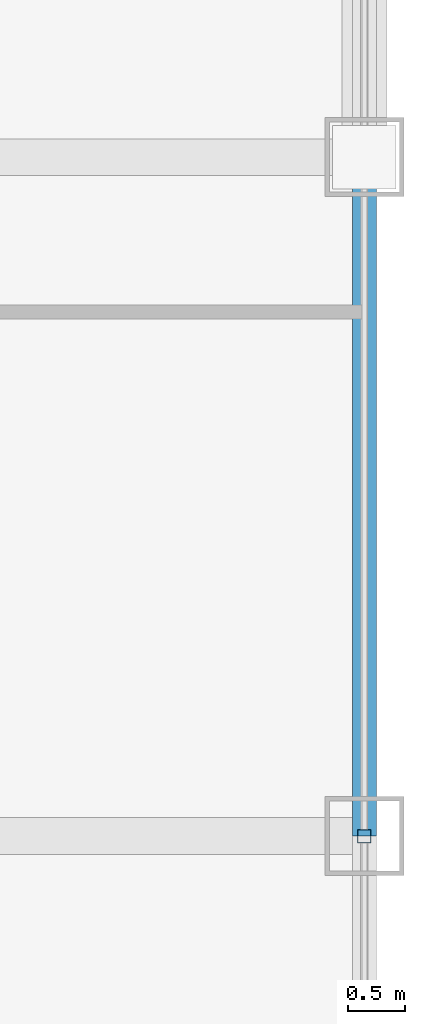
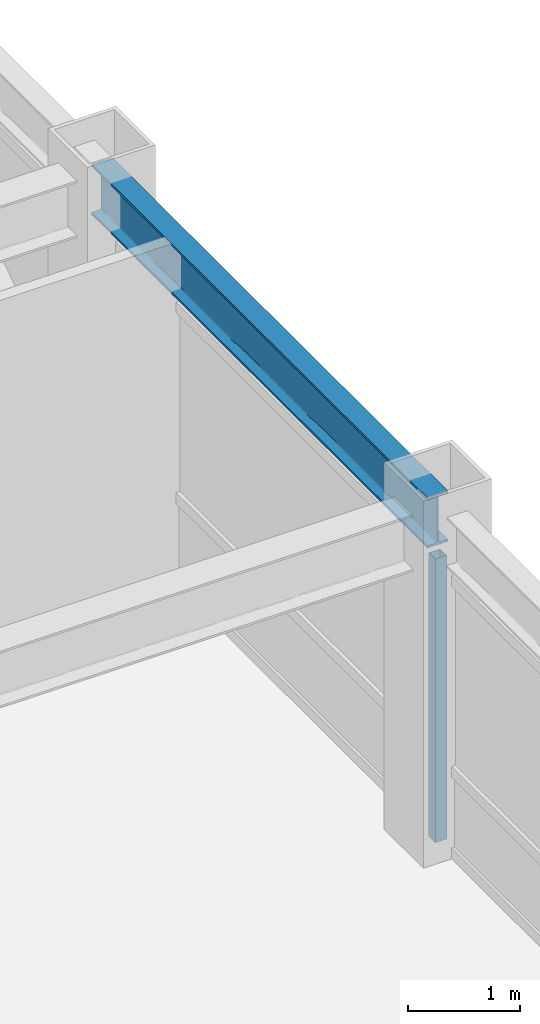
# One storey, part 12 of 29: 1 beam, 1 member, 1 element without a shape of its own.
"""IFC4 building model written with IfcOpenShell, lengths in metres."""

from ifc_helpers import new_model, si_unit, direction, frame, origin, origin_2d, place, context, subcontext, project, spatial, hollow_rectangle, i_section, extrude, source, transform, mapped, material, material_profile, profile_set, type_object, element, aggregate, save


model = new_model("IFC4")

# Units and contexts
model_context = context("Model", 3, precision=1e-05, world=origin(), true_north=direction((0.0, 1.0)))
body_context = subcontext(model_context, "Body", "Model", "MODEL_VIEW")
ifc_project = project(units=[si_unit("LENGTHUNIT", "METRE"), si_unit("AREAUNIT", "SQUARE_METRE"), si_unit("VOLUMEUNIT", "CUBIC_METRE"), si_unit("PLANEANGLEUNIT", "RADIAN"), si_unit("MASSUNIT", "GRAM", prefix="KILO")], contexts=[model_context])

# Site, building, storey
site_placement = place(None, origin())
site = spatial("IfcSite", under=ifc_project, at=site_placement, CompositionType="ELEMENT")
building_placement = place(site_placement, origin())
building = spatial("IfcBuilding", under=site, at=building_placement, Name="Khorayat Bourse Tower", CompositionType="ELEMENT")
storey_placement = place(building_placement, frame((0.0, 0.0, 362.300048828125)))
storey = spatial("IfcBuildingStorey", under=building, at=storey_placement, Name="L86", CompositionType="ELEMENT", Elevation=362.300048828125)

# Beam
ifc_material_1 = material(Name="Steel ASTM A992 Grade 50", Category="steel")
ifc_material_profile_1 = material_profile(ifc_material_1, i_section(OverallWidth=0.214111328125, OverallDepth=0.549072265625, WebThickness=0.0146484375, FlangeThickness=0.023681640625, FilletRadius=0.013916015625, at=origin_2d()), Name="W530X138")
ifc_profile_set_1 = profile_set([ifc_material_profile_1], Name="Steel ASTM A992 Grade 50")
beam_type = type_object("IfcBeamType", Name="BM-SPAN-530", PredefinedType="SPANDREL", material=ifc_profile_set_1)
shared_shape_1 = source(origin(), body_context, "Body", "SweptSolid", [
    extrude(i_section(OverallWidth=0.214111328125, OverallDepth=0.549072265625, WebThickness=0.0146484375, FlangeThickness=0.023681640625, FilletRadius=0.013916015625, at=origin_2d()), origin(), (0.0, 0.0, 1.0), 6.0),
])
beam_placement = place(storey_placement, frame((26.0, 0.0, 3.46533203125), z_axis=(0.0, 1.0, 0.0), x_axis=(-1.0, 0.0, 0.0)))
element("IfcBeam", 1, at=beam_placement, inside=storey, type_object=beam_type, Name="L86 BM-SPAN-530 BM-L86-SPN-035", PredefinedType="SPANDREL", context=body_context, shape_type="MappedRepresentation", body=[
    mapped(shared_shape_1, transform((0.0, 0.0, 0.0), scale=1.0)),
])

# Curtain wall, member
ifc_material_2 = material(Name="Aluminium EN AW-6063 T6", Category="aluminium")
curtain_wall_type = type_object("IfcCurtainWallType", Name="CW-SYS-04", PredefinedType="NOTDEFINED", material=ifc_material_2)
curtain_wall_placement = place(storey_placement, origin())
curtain_wall = element("IfcCurtainWall", 2, at=curtain_wall_placement, inside=storey, type_object=curtain_wall_type, Name="L86 Curtain Wall CW-L86-E1", PredefinedType="NOTDEFINED")
ifc_material_profile_2 = material_profile(ifc_material_2, hollow_rectangle(XDim=0.1201171875, YDim=0.1201171875, WallThickness=0.0048828125, at=origin_2d()), Name="ALU 120x120x5")
ifc_profile_set_2 = profile_set([ifc_material_profile_2], Name="Aluminium EN AW-6063 T6")
member_type = type_object("IfcMemberType", Name="CWM-VERT-120", PredefinedType="MULLION", material=ifc_profile_set_2)
shared_shape_2 = source(origin(), body_context, "Body", "SweptSolid", [
    extrude(hollow_rectangle(XDim=0.1201171875, YDim=0.1201171875, WallThickness=0.0048828125, at=origin_2d()), origin(), (0.0, 0.0, 1.0), 3.08984375),
])
member_placement = place(storey_placement, frame((26.0, 0.0, 0.0), z_axis=(0.0, 0.0, 1.0), x_axis=(-1.0, 0.0, 0.0)))
member = element("IfcMember", 3, at=member_placement, type_object=member_type, Name="CW-L86-E1 Vertical Mullion 2", PredefinedType="MULLION", context=body_context, shape_type="MappedRepresentation", body=[
    mapped(shared_shape_2, transform((0.0, 0.0, 0.0), scale=1.0)),
])
aggregate(curtain_wall, [member])

save(model, "model.ifc")
